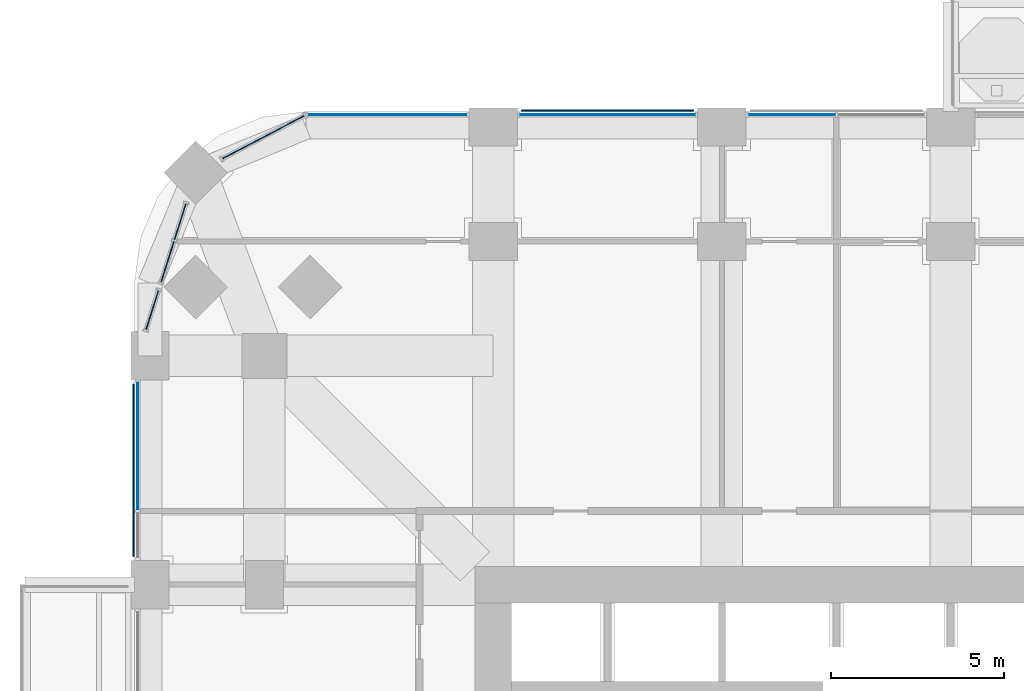
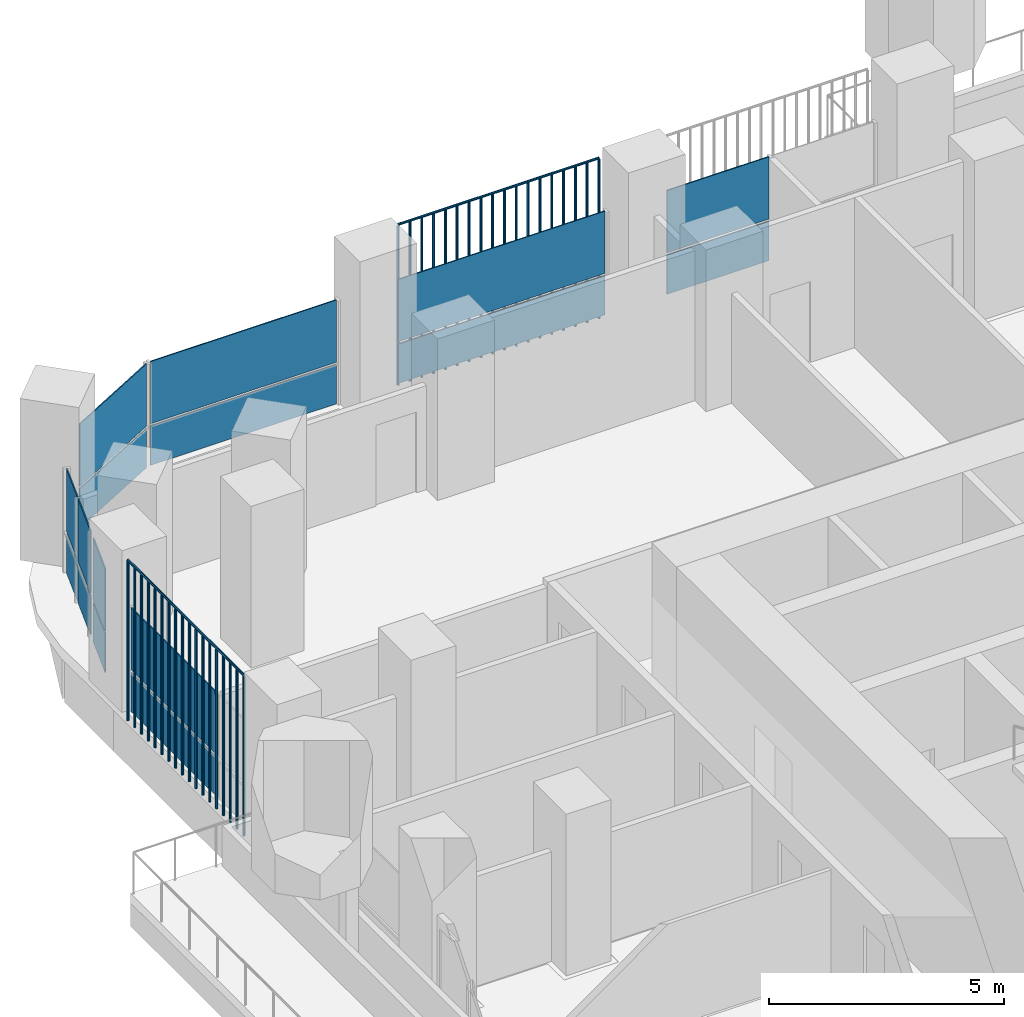
# One storey, part 12 of 22: 18 plates, 7 elements without a shape of their own.
"""IFC4 building model written with IfcOpenShell, lengths in metres."""

import ifcopenshell
import ifcopenshell.guid

model = None  # the IFC model being written
_history = None  # IfcOwnerHistory: only IFC2X3 demands one
_inside = {}  # id of a spatial element -> (the spatial element, [elements in it])
_under = {}  # id of a project, library or spatial element -> (it, [spatial elements below it])
_declared = {}  # id of a project -> (the project, [libraries it declares])
_typed = {}  # id of a type object -> (the type object, [elements of that type])
_made_of = {}  # id of a material, layer set ... -> (it, [elements and type objects made of it])


def new_model(schema):
    """Start an empty IFC model of exactly this schema.

    Asked for "IFC4X3", IfcOpenShell would pick the latest addendum, in which some entities
    have other attributes; the version numbers below select the first issue.
    IFC2X3 requires an IfcOwnerHistory on every rooted entity: one is made here for all.
    """
    global model, _history
    if schema == "IFC4X3":
        model = ifcopenshell.file(schema_version=(4, 3, 0, 0))
    else:
        model = ifcopenshell.file(schema=schema)
    _inside.clear()
    _under.clear()
    _declared.clear()
    _typed.clear()
    _made_of.clear()
    _history = None
    if model.schema == "IFC2X3":
        org = make("IfcOrganization", Name="unknown")
        user = make(
            "IfcPersonAndOrganization",
            ThePerson=make("IfcPerson", FamilyName="unknown"),
            TheOrganization=org,
        )
        app = make(
            "IfcApplication",
            ApplicationDeveloper=org,
            Version="unknown",
            ApplicationFullName="unknown",
            ApplicationIdentifier="unknown",
        )
        _history = make(
            "IfcOwnerHistory",
            OwningUser=user,
            OwningApplication=app,
            ChangeAction="ADDED",
            CreationDate=0,
        )
    return model


def make(cls, **values):
    """One entity of the class cls with the attributes given. An attribute that is None is left unset."""
    return model.create_entity(
        cls, **{name: value for name, value in values.items() if value is not None}
    )


def rooted(cls, **values):
    """An entity with a GlobalId (a new one), such as an element, a storey or a relation."""
    return make(cls, GlobalId=ifcopenshell.guid.new(), OwnerHistory=_history, **values)


def si_unit(unit_type, name, prefix=None):
    """IfcSIUnit, for example si_unit("LENGTHUNIT", "METRE", prefix="MILLI")."""
    return make("IfcSIUnit", UnitType=unit_type, Prefix=prefix, Name=name)


def assignment(units):
    """IfcUnitAssignment: the units of a project."""
    return None if units is None else make("IfcUnitAssignment", Units=units)


def point(xyz):
    """IfcCartesianPoint."""
    return None if xyz is None else make("IfcCartesianPoint", Coordinates=xyz)


def direction(xyz):
    """IfcDirection."""
    return None if xyz is None else make("IfcDirection", DirectionRatios=xyz)


def frame(location, z_axis=None, x_axis=None):
    """IfcAxis2Placement3D, a coordinate frame: its origin and axes. An axis left out is left unset."""
    return make(
        "IfcAxis2Placement3D",
        Location=point(location),
        Axis=direction(z_axis),
        RefDirection=direction(x_axis),
    )


def frame_2d(location, x_axis=None):
    """IfcAxis2Placement2D, a coordinate frame in the plane: its origin and x axis."""
    return make(
        "IfcAxis2Placement2D", Location=point(location), RefDirection=direction(x_axis)
    )


def origin():
    """The frame at (0, 0, 0) with its axes left unset."""
    return frame((0.0, 0.0, 0.0))


def origin_2d():
    """The frame at (0, 0) in the plane with its x axis left unset."""
    return frame_2d((0.0, 0.0))


def place(relative_to, where):
    """IfcLocalPlacement: puts the frame where relative to a parent placement (None: the world)."""
    return make(
        "IfcLocalPlacement", PlacementRelTo=relative_to, RelativePlacement=where
    )


def context(
    kind, dimensions, precision=None, world=None, true_north=None, identifier=None
):
    """IfcGeometricRepresentationContext, for example the 3D "Model" context."""
    return make(
        "IfcGeometricRepresentationContext",
        ContextIdentifier=identifier,
        ContextType=kind,
        CoordinateSpaceDimension=dimensions,
        Precision=precision,
        WorldCoordinateSystem=world,
        TrueNorth=true_north,
    )


def subcontext(parent, identifier, kind, view, scale=None):
    """IfcGeometricRepresentationSubContext, for example "Body" below "Model"."""
    return make(
        "IfcGeometricRepresentationSubContext",
        ContextIdentifier=identifier,
        ContextType=kind,
        ParentContext=parent,
        TargetScale=scale,
        TargetView=view,
    )


def project(units=None, contexts=None):
    """IfcProject with its units and contexts."""
    return rooted(
        "IfcProject",
        Name="project",
        RepresentationContexts=contexts,
        UnitsInContext=assignment(units),
    )


def spatial(cls, under=None, at=None, **own):
    """A site, building, storey or space (cls), placed at a placement, below another one or the project."""
    s = rooted(cls, ObjectPlacement=at, **own)
    if under is not None:
        _under.setdefault(under.id(), (under, []))[1].append(s)
    return s


def polyline(points):
    """IfcPolyline through the points."""
    return make("IfcPolyline", Points=[point(p) for p in points])


def profile(cls, at=None, kind="AREA", **sizes):
    """A parametric profile (cls). Its sizes go by their IFC names, for example OverallWidth=200.0."""
    return make(cls, ProfileType=kind, Position=at, **sizes)


def rectangle(**sizes):
    """IfcRectangleProfileDef."""
    return profile("IfcRectangleProfileDef", **sizes)


def outline(outer, holes=None, kind="AREA"):
    """IfcArbitraryClosedProfileDef: a profile drawn as a closed curve; with holes, ...WithVoids."""
    if holes is None:
        return make("IfcArbitraryClosedProfileDef", ProfileType=kind, OuterCurve=outer)
    return make(
        "IfcArbitraryProfileDefWithVoids",
        ProfileType=kind,
        OuterCurve=outer,
        InnerCurves=holes,
    )


def extrude(swept, where, along, depth):
    """IfcExtrudedAreaSolid: the profile swept, set in the frame where, extruded along a direction by depth."""
    return make(
        "IfcExtrudedAreaSolid",
        SweptArea=swept,
        Position=where,
        ExtrudedDirection=direction(along),
        Depth=depth,
    )


def shape(context_of_items, identifier, shape_type, items):
    """IfcShapeRepresentation: the items that make up one representation, for example the "Body"."""
    return make(
        "IfcShapeRepresentation",
        ContextOfItems=context_of_items,
        RepresentationIdentifier=identifier,
        RepresentationType=shape_type,
        Items=items,
    )


def material(Name=None, Category=None):
    """IfcMaterial."""
    return make("IfcMaterial", Name=Name, Category=Category)


def layer(
    of_material, thickness, ventilated=None, Name=None, Category=None, Priority=None
):
    """IfcMaterialLayer: one layer of a wall or slab, of a material (None: an air gap)."""
    return make(
        "IfcMaterialLayer",
        Material=of_material,
        LayerThickness=thickness,
        IsVentilated=ventilated,
        Name=Name,
        Category=Category,
        Priority=Priority,
    )


def layer_set(layers, Name=None):
    """IfcMaterialLayerSet."""
    return make("IfcMaterialLayerSet", MaterialLayers=layers, LayerSetName=Name)


def made_of(thing, what):
    """Note that an element or type object is made of a material, layer set ...; save() writes the relation."""
    if what is not None:
        _made_of.setdefault(what.id(), (what, []))[1].append(thing)
    return thing


def type_object(cls, material=None, **own):
    """A type object (cls), such as IfcWallType, which elements share."""
    return made_of(rooted(cls, **own), material)


def element(
    cls,
    number,
    at=None,
    inside=None,
    cuts=None,
    type_object=None,
    material=None,
    context=None,
    identifier="Body",
    shape_type=None,
    held_by="IfcProductDefinitionShape",
    body=None,
    shapes=None,
    **own,
):
    """One element of the class cls, such as IfcWall. Its Tag is "e" and its number.

    at: its placement. inside: the storey or other place that contains it. cuts: it is an
    opening in that element (IfcRelVoidsElement). A single representation is given by context,
    identifier, shape_type and body (its items); several are given by shapes. held_by: the class
    of the entity that holds the representations. save() writes the other relations.
    """
    e = rooted(cls, Tag="e%d" % number, ObjectPlacement=at, **own)
    if body is not None:
        shapes = [shape(context, identifier, shape_type, body)]
    if shapes is not None:
        e.Representation = make(held_by, Representations=shapes)
    if inside is not None:
        _inside.setdefault(inside.id(), (inside, []))[1].append(e)
    if cuts is not None:
        rooted(
            "IfcRelVoidsElement", RelatingBuildingElement=cuts, RelatedOpeningElement=e
        )
    if type_object is not None:
        _typed.setdefault(type_object.id(), (type_object, []))[1].append(e)
    return made_of(e, material)


def aggregate(whole, parts):
    """IfcRelAggregates: a whole, such as a stair, and the parts it consists of."""
    return rooted("IfcRelAggregates", RelatingObject=whole, RelatedObjects=parts)


def save(model, path):
    """Write the relations noted so far, then the file.

    IfcRelAggregates (storeys below a building ...), IfcRelContainedInSpatialStructure (elements
    in a storey), IfcRelDefinesByType, IfcRelAssociatesMaterial and IfcRelDeclares: one each for
    every whole, place, type object, material and project.
    """
    for whole, parts in _under.values():
        aggregate(whole, parts)
    for where, things in _inside.values():
        rooted(
            "IfcRelContainedInSpatialStructure",
            RelatedElements=things,
            RelatingStructure=where,
        )
    for kind, things in _typed.values():
        rooted("IfcRelDefinesByType", RelatedObjects=things, RelatingType=kind)
    for what, things in _made_of.values():
        rooted("IfcRelAssociatesMaterial", RelatedObjects=things, RelatingMaterial=what)
    for by, libraries in _declared.values():
        rooted("IfcRelDeclares", RelatingContext=by, RelatedDefinitions=libraries)
    model.write(path)


model = new_model("IFC4")

# Units and contexts
model_context = context("Model", 3, precision=1e-05, world=origin(), true_north=direction((0.0, 1.0)))
body_context = subcontext(model_context, "Body", "Model", "MODEL_VIEW")
ifc_project = project(units=[si_unit("LENGTHUNIT", "METRE"), si_unit("AREAUNIT", "SQUARE_METRE"), si_unit("VOLUMEUNIT", "CUBIC_METRE"), si_unit("PLANEANGLEUNIT", "RADIAN"), si_unit("MASSUNIT", "GRAM", prefix="KILO")], contexts=[model_context])

# Site, building, storey
site_placement = place(None, origin())
site = spatial("IfcSite", under=ifc_project, at=site_placement, CompositionType="ELEMENT")
building_placement = place(site_placement, origin())
building = spatial("IfcBuilding", under=site, at=building_placement, Name="Cobogo Forest Laboratory Tower", CompositionType="ELEMENT")
storey_placement = place(building_placement, frame((0.0, 0.0, 111.60009765625)))
storey = spatial("IfcBuildingStorey", under=building, at=storey_placement, Name="L25", CompositionType="ELEMENT", Elevation=111.60009765625)

# Curtain wall, plates
ifc_material_1 = material(Name="Aluminium curtain wall", Category="aluminium")
curtain_wall_type = type_object("IfcCurtainWallType", Name="CW-1 unitised curtain wall, clear glazing, laboratory floors zones A and B", PredefinedType="USERDEFINED", material=ifc_material_1)
curtain_wall_1_placement = place(storey_placement, origin())
curtain_wall_1 = element("IfcCurtainWall", 1, at=curtain_wall_1_placement, inside=storey, type_object=curtain_wall_type, Name="Curtain wall 21 L25", ObjectType="UNITISED CURTAIN WALL", PredefinedType="USERDEFINED")
ifc_material_2 = material(Name="Clear insulated glass", Category="glass")
ifc_layer = layer(ifc_material_2, 0.028076171875)
ifc_layer_set = layer_set([ifc_layer], Name="GP-1 clear insulated glass unit 28")
plate_type_1 = type_object("IfcPlateType", Name="GP-1 clear insulated glass unit 28", PredefinedType="CURTAIN_PANEL", material=ifc_layer_set)
plate_1_placement = place(storey_placement, frame((21.81494140625, 46.550048828125, 0.0), z_axis=(0.0, 0.0, 1.0), x_axis=(-1.0, 0.0, 0.0)))
plate_1 = element("IfcPlate", 2, at=plate_1_placement, type_object=plate_type_1, Name="CW-1 panel 2.1", PredefinedType="CURTAIN_PANEL", context=body_context, shape_type="SweptSolid", body=[
    extrude(rectangle(XDim=2.510009765625, YDim=0.028076171875, at=origin_2d()), origin(), (0.0, 0.0, 1.0), 1.02001953125),
])
plate_2_placement = place(storey_placement, frame((21.81494140625, 46.550048828125, 1.079833984375), z_axis=(0.0, 0.0, 1.0), x_axis=(-1.0, 0.0, 0.0)))
plate_2 = element("IfcPlate", 3, at=plate_2_placement, type_object=plate_type_1, Name="CW-1 panel 2.2", PredefinedType="CURTAIN_PANEL", context=body_context, shape_type="SweptSolid", body=[
    extrude(rectangle(XDim=2.510009765625, YDim=0.028076171875, at=origin_2d()), origin(), (0.0, 0.0, 1.0), 1.6201171875),
])
aggregate(curtain_wall_1, [plate_1, plate_2])

curtain_wall_2_placement = place(storey_placement, origin())
curtain_wall_2 = element("IfcCurtainWall", 4, at=curtain_wall_2_placement, inside=storey, type_object=curtain_wall_type, Name="Curtain wall 22 L25", ObjectType="UNITISED CURTAIN WALL", PredefinedType="USERDEFINED")
plate_3_placement = place(storey_placement, frame((16.5, 46.550048828125, 0.0), z_axis=(0.0, 0.0, 1.0), x_axis=(-1.0, 0.0, 0.0)))
plate_3 = element("IfcPlate", 5, at=plate_3_placement, type_object=plate_type_1, Name="CW-1 panel 1.1", PredefinedType="CURTAIN_PANEL", context=body_context, shape_type="SweptSolid", body=[
    extrude(rectangle(XDim=5.080078125, YDim=0.028076171875, at=origin_2d()), origin(), (0.0, 0.0, 1.0), 1.02001953125),
])
plate_4_placement = place(storey_placement, frame((16.5, 46.550048828125, 1.079833984375), z_axis=(0.0, 0.0, 1.0), x_axis=(-1.0, 0.0, 0.0)))
plate_4 = element("IfcPlate", 6, at=plate_4_placement, type_object=plate_type_1, Name="CW-1 panel 1.2", PredefinedType="CURTAIN_PANEL", context=body_context, shape_type="SweptSolid", body=[
    extrude(rectangle(XDim=5.080078125, YDim=0.028076171875, at=origin_2d()), origin(), (0.0, 0.0, 1.0), 1.6201171875),
])
aggregate(curtain_wall_2, [plate_3, plate_4])

curtain_wall_3_placement = place(storey_placement, origin())
curtain_wall_3 = element("IfcCurtainWall", 7, at=curtain_wall_3_placement, inside=storey, type_object=curtain_wall_type, Name="Curtain wall 23 L25", ObjectType="UNITISED CURTAIN WALL", PredefinedType="USERDEFINED")
plate_5_placement = place(storey_placement, frame((10.14990234375, 46.550048828125, 0.0), z_axis=(0.0, 0.0, 1.0), x_axis=(-1.0, 0.0, 0.0)))
plate_5 = element("IfcPlate", 8, at=plate_5_placement, type_object=plate_type_1, Name="CW-1 panel 1.1", PredefinedType="CURTAIN_PANEL", context=body_context, shape_type="SweptSolid", body=[
    extrude(rectangle(XDim=4.580078125, YDim=0.028076171875, at=origin_2d()), origin(), (0.0, 0.0, 1.0), 1.02001953125),
])
plate_6_placement = place(storey_placement, frame((10.14990234375, 46.550048828125, 1.079833984375), z_axis=(0.0, 0.0, 1.0), x_axis=(-1.0, 0.0, 0.0)))
plate_6 = element("IfcPlate", 9, at=plate_6_placement, type_object=plate_type_1, Name="CW-1 panel 1.2", PredefinedType="CURTAIN_PANEL", context=body_context, shape_type="SweptSolid", body=[
    extrude(rectangle(XDim=4.580078125, YDim=0.028076171875, at=origin_2d()), origin(), (0.0, 0.0, 1.0), 1.6201171875),
])
aggregate(curtain_wall_3, [plate_5, plate_6])

curtain_wall_4_placement = place(storey_placement, origin())
curtain_wall_4 = element("IfcCurtainWall", 10, at=curtain_wall_4_placement, inside=storey, type_object=curtain_wall_type, Name="Curtain wall 24 L25", ObjectType="UNITISED CURTAIN WALL", PredefinedType="USERDEFINED")
plate_7_placement = place(storey_placement, frame((6.57080078125, 45.90576171875, 0.0), z_axis=(0.0, 0.0, 1.0), x_axis=(-0.885686547075, -0.464283685186, 0.0)))
plate_7 = element("IfcPlate", 11, at=plate_7_placement, type_object=plate_type_1, Name="CW-1 panel 1.1", PredefinedType="CURTAIN_PANEL", context=body_context, shape_type="SweptSolid", body=[
    extrude(rectangle(XDim=2.655517578125, YDim=0.028076171875, at=origin_2d()), origin(), (0.0, 0.0, 1.0), 1.02001953125),
])
plate_8_placement = place(storey_placement, frame((6.57080078125, 45.90576171875, 1.079833984375), z_axis=(0.0, 0.0, 1.0), x_axis=(-0.885686547075, -0.464283685186, 0.0)))
plate_8 = element("IfcPlate", 12, at=plate_8_placement, type_object=plate_type_1, Name="CW-1 panel 1.2", PredefinedType="CURTAIN_PANEL", context=body_context, shape_type="SweptSolid", body=[
    extrude(rectangle(XDim=2.655517578125, YDim=0.028076171875, at=origin_2d()), origin(), (0.0, 0.0, 1.0), 1.6201171875),
])
aggregate(curtain_wall_4, [plate_7, plate_8])

curtain_wall_5_placement = place(storey_placement, origin())
curtain_wall_5 = element("IfcCurtainWall", 13, at=curtain_wall_5_placement, inside=storey, type_object=curtain_wall_type, Name="Curtain wall 25 L25", ObjectType="UNITISED CURTAIN WALL", PredefinedType="USERDEFINED")
plate_9_placement = place(storey_placement, frame((4.171875, 43.469482421875, 0.0), z_axis=(0.0, 0.0, 1.0), x_axis=(-0.301135291996, -0.953581425949, 0.0)))
plate_9 = element("IfcPlate", 14, at=plate_9_placement, type_object=plate_type_1, Name="CW-1 panel 1.1", PredefinedType="CURTAIN_PANEL", context=body_context, shape_type="SweptSolid", body=[
    extrude(rectangle(XDim=1.083984375, YDim=0.028076171875, at=origin_2d()), origin(), (0.0, 0.0, 1.0), 1.02001953125),
])
plate_10_placement = place(storey_placement, frame((4.171875, 43.469482421875, 1.079833984375), z_axis=(0.0, 0.0, 1.0), x_axis=(-0.301135291996, -0.953581425949, 0.0)))
plate_10 = element("IfcPlate", 15, at=plate_10_placement, type_object=plate_type_1, Name="CW-1 panel 1.2", PredefinedType="CURTAIN_PANEL", context=body_context, shape_type="SweptSolid", body=[
    extrude(rectangle(XDim=1.083984375, YDim=0.028076171875, at=origin_2d()), origin(), (0.0, 0.0, 1.0), 1.6201171875),
])
plate_11_placement = place(storey_placement, frame((3.806396484375, 42.31201171875, 0.0), z_axis=(0.0, 0.0, 1.0), x_axis=(-0.301135291996, -0.953581425949, 0.0)))
plate_11 = element("IfcPlate", 16, at=plate_11_placement, type_object=plate_type_1, Name="CW-1 panel 2.1", PredefinedType="CURTAIN_PANEL", context=body_context, shape_type="SweptSolid", body=[
    extrude(rectangle(XDim=1.223876953125, YDim=0.028076171875, at=origin_2d()), origin(), (0.0, 0.0, 1.0), 1.02001953125),
])
plate_12_placement = place(storey_placement, frame((3.806396484375, 42.31201171875, 1.079833984375), z_axis=(0.0, 0.0, 1.0), x_axis=(-0.301135291996, -0.953581425949, 0.0)))
plate_12 = element("IfcPlate", 17, at=plate_12_placement, type_object=plate_type_1, Name="CW-1 panel 2.2", PredefinedType="CURTAIN_PANEL", context=body_context, shape_type="SweptSolid", body=[
    extrude(rectangle(XDim=1.223876953125, YDim=0.028076171875, at=origin_2d()), origin(), (0.0, 0.0, 1.0), 1.6201171875),
])
aggregate(curtain_wall_5, [plate_9, plate_10, plate_11, plate_12])

curtain_wall_6_placement = place(storey_placement, origin())
curtain_wall_6 = element("IfcCurtainWall", 18, at=curtain_wall_6_placement, inside=storey, type_object=curtain_wall_type, Name="Curtain wall 26 L25", ObjectType="UNITISED CURTAIN WALL", PredefinedType="USERDEFINED")
plate_13_placement = place(storey_placement, frame((3.3662109375, 40.917724609375, 0.0), z_axis=(0.0, 0.0, 1.0), x_axis=(-0.301135356805, -0.953581405483, 0.0)))
plate_13 = element("IfcPlate", 19, at=plate_13_placement, type_object=plate_type_1, Name="CW-1 panel 1.1", PredefinedType="CURTAIN_PANEL", context=body_context, shape_type="SweptSolid", body=[
    extrude(rectangle(XDim=1.17578125, YDim=0.028076171875, at=origin_2d()), origin(), (0.0, 0.0, 1.0), 1.02001953125),
])
plate_14_placement = place(storey_placement, frame((3.3662109375, 40.917724609375, 1.079833984375), z_axis=(0.0, 0.0, 1.0), x_axis=(-0.301135356805, -0.953581405483, 0.0)))
plate_14 = element("IfcPlate", 20, at=plate_14_placement, type_object=plate_type_1, Name="CW-1 panel 1.2", PredefinedType="CURTAIN_PANEL", context=body_context, shape_type="SweptSolid", body=[
    extrude(rectangle(XDim=1.17578125, YDim=0.028076171875, at=origin_2d()), origin(), (0.0, 0.0, 1.0), 1.6201171875),
])
aggregate(curtain_wall_6, [plate_13, plate_14])

curtain_wall_7_placement = place(storey_placement, origin())
curtain_wall_7 = element("IfcCurtainWall", 21, at=curtain_wall_7_placement, inside=storey, type_object=curtain_wall_type, Name="Curtain wall 27 L25", ObjectType="UNITISED CURTAIN WALL", PredefinedType="USERDEFINED")
plate_15_placement = place(storey_placement, frame((2.949951171875, 36.99755859375, 0.0), z_axis=(0.0, 0.0, 1.0), x_axis=(0.0, -1.0, 0.0)))
plate_15 = element("IfcPlate", 22, at=plate_15_placement, type_object=plate_type_1, Name="CW-1 panel 1.1", PredefinedType="CURTAIN_PANEL", context=body_context, shape_type="SweptSolid", body=[
    extrude(rectangle(XDim=3.68505859375, YDim=0.028076171875, at=origin_2d()), origin(), (0.0, 0.0, 1.0), 1.02001953125),
])
plate_16_placement = place(storey_placement, frame((2.949951171875, 36.99755859375, 1.079833984375), z_axis=(0.0, 0.0, 1.0), x_axis=(0.0, -1.0, 0.0)))
plate_16 = element("IfcPlate", 23, at=plate_16_placement, type_object=plate_type_1, Name="CW-1 panel 1.2", PredefinedType="CURTAIN_PANEL", context=body_context, shape_type="SweptSolid", body=[
    extrude(rectangle(XDim=3.68505859375, YDim=0.028076171875, at=origin_2d()), origin(), (0.0, 0.0, 1.0), 1.6201171875),
])
aggregate(curtain_wall_7, [plate_15, plate_16])

# Plates
ifc_material_3 = material(Name="Terracotta", Category="masonry")
plate_type_2 = type_object("IfcPlateType", Name="TB1 terracotta baguette screen", PredefinedType="USERDEFINED", material=ifc_material_3)
plate_17_placement = place(storey_placement, frame((14.03125, 46.677978515625, -0.150146484375)))
element("IfcPlate", 24, at=plate_17_placement, inside=storey, type_object=plate_type_2, Name="Baguette screen N1 L25", ObjectType="BAGUETTE SCREEN", PredefinedType="USERDEFINED", context=body_context, shape_type="SweptSolid", body=[
    extrude(outline(polyline([(0.02880859375, 0.011962890625), (0.011962890625, 0.02880859375), (-0.011962890625, 0.02880859375), (-0.02880859375, 0.011962890625), (-0.02880859375, -0.011962890625), (-0.011962890625, -0.02880859375), (0.011962890625, -0.02880859375), (0.02880859375, -0.011962890625), (0.02880859375, 0.011962890625)])), frame((0.0, 0.0, 4.168701171875), z_axis=(1.0, 0.0, 0.0), x_axis=(0.0, 1.0, 0.0)), (0.0, 0.0, 1.0), 4.9375),
    extrude(outline(polyline([(0.02880859375, 0.011962890625), (0.011962890625, 0.02880859375), (-0.011962890625, 0.02880859375), (-0.02880859375, 0.011962890625), (-0.02880859375, -0.011962890625), (-0.011962890625, -0.02880859375), (0.011962890625, -0.02880859375), (0.02880859375, -0.011962890625), (0.02880859375, 0.011962890625)])), origin(), (0.0, 0.0, 1.0), 4.137451171875),
    extrude(outline(polyline([(0.02880859375, 0.011962890625), (0.011962890625, 0.02880859375), (-0.011962890625, 0.02880859375), (-0.02880859375, 0.011962890625), (-0.02880859375, -0.011962890625), (-0.011962890625, -0.02880859375), (0.011962890625, -0.02880859375), (0.02880859375, -0.011962890625), (0.02880859375, 0.011962890625)])), frame((0.29052734375, 0.0, 0.0)), (0.0, 0.0, 1.0), 4.137451171875),
    extrude(outline(polyline([(0.02880859375, 0.011962890625), (0.011962890625, 0.02880859375), (-0.011962890625, 0.02880859375), (-0.02880859375, 0.011962890625), (-0.02880859375, -0.011962890625), (-0.011962890625, -0.02880859375), (0.011962890625, -0.02880859375), (0.02880859375, -0.011962890625), (0.02880859375, 0.011962890625)])), frame((0.580810546875, 0.0, 0.0)), (0.0, 0.0, 1.0), 4.137451171875),
    extrude(outline(polyline([(0.02880859375, 0.011962890625), (0.011962890625, 0.02880859375), (-0.011962890625, 0.02880859375), (-0.02880859375, 0.011962890625), (-0.02880859375, -0.011962890625), (-0.011962890625, -0.02880859375), (0.011962890625, -0.02880859375), (0.02880859375, -0.011962890625), (0.02880859375, 0.011962890625)])), frame((0.871337890625, 0.0, 0.0)), (0.0, 0.0, 1.0), 4.137451171875),
    extrude(outline(polyline([(0.02880859375, 0.011962890625), (0.011962890625, 0.02880859375), (-0.011962890625, 0.02880859375), (-0.02880859375, 0.011962890625), (-0.02880859375, -0.011962890625), (-0.011962890625, -0.02880859375), (0.011962890625, -0.02880859375), (0.02880859375, -0.011962890625), (0.02880859375, 0.011962890625)])), frame((1.161865234375, 0.0, 0.0)), (0.0, 0.0, 1.0), 4.137451171875),
    extrude(outline(polyline([(0.02880859375, 0.011962890625), (0.011962890625, 0.02880859375), (-0.011962890625, 0.02880859375), (-0.02880859375, 0.011962890625), (-0.02880859375, -0.011962890625), (-0.011962890625, -0.02880859375), (0.011962890625, -0.02880859375), (0.02880859375, -0.011962890625), (0.02880859375, 0.011962890625)])), frame((1.4521484375, 0.0, 0.0)), (0.0, 0.0, 1.0), 4.137451171875),
    extrude(outline(polyline([(0.02880859375, 0.011962890625), (0.011962890625, 0.02880859375), (-0.011962890625, 0.02880859375), (-0.02880859375, 0.011962890625), (-0.02880859375, -0.011962890625), (-0.011962890625, -0.02880859375), (0.011962890625, -0.02880859375), (0.02880859375, -0.011962890625), (0.02880859375, 0.011962890625)])), frame((1.74267578125, 0.0, 0.0)), (0.0, 0.0, 1.0), 4.137451171875),
    extrude(outline(polyline([(0.02880859375, 0.011962890625), (0.011962890625, 0.02880859375), (-0.011962890625, 0.02880859375), (-0.02880859375, 0.011962890625), (-0.02880859375, -0.011962890625), (-0.011962890625, -0.02880859375), (0.011962890625, -0.02880859375), (0.02880859375, -0.011962890625), (0.02880859375, 0.011962890625)])), frame((2.033203125, 0.0, 0.0)), (0.0, 0.0, 1.0), 4.137451171875),
    extrude(outline(polyline([(0.02880859375, 0.011962890625), (0.011962890625, 0.02880859375), (-0.011962890625, 0.02880859375), (-0.02880859375, 0.011962890625), (-0.02880859375, -0.011962890625), (-0.011962890625, -0.02880859375), (0.011962890625, -0.02880859375), (0.02880859375, -0.011962890625), (0.02880859375, 0.011962890625)])), frame((2.323486328125, 0.0, 0.0)), (0.0, 0.0, 1.0), 4.137451171875),
    extrude(outline(polyline([(0.02880859375, 0.011962890625), (0.011962890625, 0.02880859375), (-0.011962890625, 0.02880859375), (-0.02880859375, 0.011962890625), (-0.02880859375, -0.011962890625), (-0.011962890625, -0.02880859375), (0.011962890625, -0.02880859375), (0.02880859375, -0.011962890625), (0.02880859375, 0.011962890625)])), frame((2.614013671875, 0.0, 0.0)), (0.0, 0.0, 1.0), 4.137451171875),
    extrude(outline(polyline([(0.02880859375, 0.011962890625), (0.011962890625, 0.02880859375), (-0.011962890625, 0.02880859375), (-0.02880859375, 0.011962890625), (-0.02880859375, -0.011962890625), (-0.011962890625, -0.02880859375), (0.011962890625, -0.02880859375), (0.02880859375, -0.011962890625), (0.02880859375, 0.011962890625)])), frame((2.904296875, 0.0, 0.0)), (0.0, 0.0, 1.0), 4.137451171875),
    extrude(outline(polyline([(0.02880859375, 0.011962890625), (0.011962890625, 0.02880859375), (-0.011962890625, 0.02880859375), (-0.02880859375, 0.011962890625), (-0.02880859375, -0.011962890625), (-0.011962890625, -0.02880859375), (0.011962890625, -0.02880859375), (0.02880859375, -0.011962890625), (0.02880859375, 0.011962890625)])), frame((3.19482421875, 0.0, 0.0)), (0.0, 0.0, 1.0), 4.137451171875),
    extrude(outline(polyline([(0.02880859375, 0.011962890625), (0.011962890625, 0.02880859375), (-0.011962890625, 0.02880859375), (-0.02880859375, 0.011962890625), (-0.02880859375, -0.011962890625), (-0.011962890625, -0.02880859375), (0.011962890625, -0.02880859375), (0.02880859375, -0.011962890625), (0.02880859375, 0.011962890625)])), frame((3.4853515625, 0.0, 0.0)), (0.0, 0.0, 1.0), 4.137451171875),
    extrude(outline(polyline([(0.02880859375, 0.011962890625), (0.011962890625, 0.02880859375), (-0.011962890625, 0.02880859375), (-0.02880859375, 0.011962890625), (-0.02880859375, -0.011962890625), (-0.011962890625, -0.02880859375), (0.011962890625, -0.02880859375), (0.02880859375, -0.011962890625), (0.02880859375, 0.011962890625)])), frame((3.775634765625, 0.0, 0.0)), (0.0, 0.0, 1.0), 4.137451171875),
    extrude(outline(polyline([(0.02880859375, 0.011962890625), (0.011962890625, 0.02880859375), (-0.011962890625, 0.02880859375), (-0.02880859375, 0.011962890625), (-0.02880859375, -0.011962890625), (-0.011962890625, -0.02880859375), (0.011962890625, -0.02880859375), (0.02880859375, -0.011962890625), (0.02880859375, 0.011962890625)])), frame((4.066162109375, 0.0, 0.0)), (0.0, 0.0, 1.0), 4.137451171875),
    extrude(outline(polyline([(0.02880859375, 0.011962890625), (0.011962890625, 0.02880859375), (-0.011962890625, 0.02880859375), (-0.02880859375, 0.011962890625), (-0.02880859375, -0.011962890625), (-0.011962890625, -0.02880859375), (0.011962890625, -0.02880859375), (0.02880859375, -0.011962890625), (0.02880859375, 0.011962890625)])), frame((4.356689453125, 0.0, 0.0)), (0.0, 0.0, 1.0), 4.137451171875),
    extrude(outline(polyline([(0.02880859375, 0.011962890625), (0.011962890625, 0.02880859375), (-0.011962890625, 0.02880859375), (-0.02880859375, 0.011962890625), (-0.02880859375, -0.011962890625), (-0.011962890625, -0.02880859375), (0.011962890625, -0.02880859375), (0.02880859375, -0.011962890625), (0.02880859375, 0.011962890625)])), frame((4.64697265625, 0.0, 0.0)), (0.0, 0.0, 1.0), 4.137451171875),
    extrude(outline(polyline([(0.02880859375, 0.011962890625), (0.011962890625, 0.02880859375), (-0.011962890625, 0.02880859375), (-0.02880859375, 0.011962890625), (-0.02880859375, -0.011962890625), (-0.011962890625, -0.02880859375), (0.011962890625, -0.02880859375), (0.02880859375, -0.011962890625), (0.02880859375, 0.011962890625)])), frame((4.9375, 0.0, 0.0)), (0.0, 0.0, 1.0), 4.137451171875),
])
plate_18_placement = place(storey_placement, frame((2.822021484375, 33.831298828125, -0.150146484375)))
element("IfcPlate", 25, at=plate_18_placement, inside=storey, type_object=plate_type_2, Name="Baguette screen W5 L25", ObjectType="BAGUETTE SCREEN", PredefinedType="USERDEFINED", context=body_context, shape_type="SweptSolid", body=[
    extrude(outline(polyline([(0.02880859375, 0.011962890625), (0.011962890625, 0.02880859375), (-0.011962890625, 0.02880859375), (-0.02880859375, 0.011962890625), (-0.02880859375, -0.011962890625), (-0.011962890625, -0.02880859375), (0.011962890625, -0.02880859375), (0.02880859375, -0.011962890625), (0.02880859375, 0.011962890625)])), frame((0.0, 0.0, 4.168701171875), z_axis=(0.0, 1.0, 0.0), x_axis=(-1.0, 0.0, 0.0)), (0.0, 0.0, 1.0), 4.9375),
    extrude(outline(polyline([(0.02880859375, 0.011962890625), (0.011962890625, 0.02880859375), (-0.011962890625, 0.02880859375), (-0.02880859375, 0.011962890625), (-0.02880859375, -0.011962890625), (-0.011962890625, -0.02880859375), (0.011962890625, -0.02880859375), (0.02880859375, -0.011962890625), (0.02880859375, 0.011962890625)])), origin(), (0.0, 0.0, 1.0), 4.137451171875),
    extrude(outline(polyline([(0.02880859375, 0.011962890625), (0.011962890625, 0.02880859375), (-0.011962890625, 0.02880859375), (-0.02880859375, 0.011962890625), (-0.02880859375, -0.011962890625), (-0.011962890625, -0.02880859375), (0.011962890625, -0.02880859375), (0.02880859375, -0.011962890625), (0.02880859375, 0.011962890625)])), frame((0.0, 0.29052734375, 0.0)), (0.0, 0.0, 1.0), 4.137451171875),
    extrude(outline(polyline([(0.02880859375, 0.011962890625), (0.011962890625, 0.02880859375), (-0.011962890625, 0.02880859375), (-0.02880859375, 0.011962890625), (-0.02880859375, -0.011962890625), (-0.011962890625, -0.02880859375), (0.011962890625, -0.02880859375), (0.02880859375, -0.011962890625), (0.02880859375, 0.011962890625)])), frame((0.0, 0.580810546875, 0.0)), (0.0, 0.0, 1.0), 4.137451171875),
    extrude(outline(polyline([(0.02880859375, 0.011962890625), (0.011962890625, 0.02880859375), (-0.011962890625, 0.02880859375), (-0.02880859375, 0.011962890625), (-0.02880859375, -0.011962890625), (-0.011962890625, -0.02880859375), (0.011962890625, -0.02880859375), (0.02880859375, -0.011962890625), (0.02880859375, 0.011962890625)])), frame((0.0, 0.871337890625, 0.0)), (0.0, 0.0, 1.0), 4.137451171875),
    extrude(outline(polyline([(0.02880859375, 0.011962890625), (0.011962890625, 0.02880859375), (-0.011962890625, 0.02880859375), (-0.02880859375, 0.011962890625), (-0.02880859375, -0.011962890625), (-0.011962890625, -0.02880859375), (0.011962890625, -0.02880859375), (0.02880859375, -0.011962890625), (0.02880859375, 0.011962890625)])), frame((0.0, 1.161865234375, 0.0)), (0.0, 0.0, 1.0), 4.137451171875),
    extrude(outline(polyline([(0.02880859375, 0.011962890625), (0.011962890625, 0.02880859375), (-0.011962890625, 0.02880859375), (-0.02880859375, 0.011962890625), (-0.02880859375, -0.011962890625), (-0.011962890625, -0.02880859375), (0.011962890625, -0.02880859375), (0.02880859375, -0.011962890625), (0.02880859375, 0.011962890625)])), frame((0.0, 1.4521484375, 0.0)), (0.0, 0.0, 1.0), 4.137451171875),
    extrude(outline(polyline([(0.02880859375, 0.011962890625), (0.011962890625, 0.02880859375), (-0.011962890625, 0.02880859375), (-0.02880859375, 0.011962890625), (-0.02880859375, -0.011962890625), (-0.011962890625, -0.02880859375), (0.011962890625, -0.02880859375), (0.02880859375, -0.011962890625), (0.02880859375, 0.011962890625)])), frame((0.0, 1.74267578125, 0.0)), (0.0, 0.0, 1.0), 4.137451171875),
    extrude(outline(polyline([(0.02880859375, 0.011962890625), (0.011962890625, 0.02880859375), (-0.011962890625, 0.02880859375), (-0.02880859375, 0.011962890625), (-0.02880859375, -0.011962890625), (-0.011962890625, -0.02880859375), (0.011962890625, -0.02880859375), (0.02880859375, -0.011962890625), (0.02880859375, 0.011962890625)])), frame((0.0, 2.033203125, 0.0)), (0.0, 0.0, 1.0), 4.137451171875),
    extrude(outline(polyline([(0.02880859375, 0.011962890625), (0.011962890625, 0.02880859375), (-0.011962890625, 0.02880859375), (-0.02880859375, 0.011962890625), (-0.02880859375, -0.011962890625), (-0.011962890625, -0.02880859375), (0.011962890625, -0.02880859375), (0.02880859375, -0.011962890625), (0.02880859375, 0.011962890625)])), frame((0.0, 2.323486328125, 0.0)), (0.0, 0.0, 1.0), 4.137451171875),
    extrude(outline(polyline([(0.02880859375, 0.011962890625), (0.011962890625, 0.02880859375), (-0.011962890625, 0.02880859375), (-0.02880859375, 0.011962890625), (-0.02880859375, -0.011962890625), (-0.011962890625, -0.02880859375), (0.011962890625, -0.02880859375), (0.02880859375, -0.011962890625), (0.02880859375, 0.011962890625)])), frame((0.0, 2.614013671875, 0.0)), (0.0, 0.0, 1.0), 4.137451171875),
    extrude(outline(polyline([(0.02880859375, 0.011962890625), (0.011962890625, 0.02880859375), (-0.011962890625, 0.02880859375), (-0.02880859375, 0.011962890625), (-0.02880859375, -0.011962890625), (-0.011962890625, -0.02880859375), (0.011962890625, -0.02880859375), (0.02880859375, -0.011962890625), (0.02880859375, 0.011962890625)])), frame((0.0, 2.904296875, 0.0)), (0.0, 0.0, 1.0), 4.137451171875),
    extrude(outline(polyline([(0.02880859375, 0.011962890625), (0.011962890625, 0.02880859375), (-0.011962890625, 0.02880859375), (-0.02880859375, 0.011962890625), (-0.02880859375, -0.011962890625), (-0.011962890625, -0.02880859375), (0.011962890625, -0.02880859375), (0.02880859375, -0.011962890625), (0.02880859375, 0.011962890625)])), frame((0.0, 3.19482421875, 0.0)), (0.0, 0.0, 1.0), 4.137451171875),
    extrude(outline(polyline([(0.02880859375, 0.011962890625), (0.011962890625, 0.02880859375), (-0.011962890625, 0.02880859375), (-0.02880859375, 0.011962890625), (-0.02880859375, -0.011962890625), (-0.011962890625, -0.02880859375), (0.011962890625, -0.02880859375), (0.02880859375, -0.011962890625), (0.02880859375, 0.011962890625)])), frame((0.0, 3.4853515625, 0.0)), (0.0, 0.0, 1.0), 4.137451171875),
    extrude(outline(polyline([(0.02880859375, 0.011962890625), (0.011962890625, 0.02880859375), (-0.011962890625, 0.02880859375), (-0.02880859375, 0.011962890625), (-0.02880859375, -0.011962890625), (-0.011962890625, -0.02880859375), (0.011962890625, -0.02880859375), (0.02880859375, -0.011962890625), (0.02880859375, 0.011962890625)])), frame((0.0, 3.775634765625, 0.0)), (0.0, 0.0, 1.0), 4.137451171875),
    extrude(outline(polyline([(0.02880859375, 0.011962890625), (0.011962890625, 0.02880859375), (-0.011962890625, 0.02880859375), (-0.02880859375, 0.011962890625), (-0.02880859375, -0.011962890625), (-0.011962890625, -0.02880859375), (0.011962890625, -0.02880859375), (0.02880859375, -0.011962890625), (0.02880859375, 0.011962890625)])), frame((0.0, 4.066162109375, 0.0)), (0.0, 0.0, 1.0), 4.137451171875),
    extrude(outline(polyline([(0.02880859375, 0.011962890625), (0.011962890625, 0.02880859375), (-0.011962890625, 0.02880859375), (-0.02880859375, 0.011962890625), (-0.02880859375, -0.011962890625), (-0.011962890625, -0.02880859375), (0.011962890625, -0.02880859375), (0.02880859375, -0.011962890625), (0.02880859375, 0.011962890625)])), frame((0.0, 4.356689453125, 0.0)), (0.0, 0.0, 1.0), 4.137451171875),
    extrude(outline(polyline([(0.02880859375, 0.011962890625), (0.011962890625, 0.02880859375), (-0.011962890625, 0.02880859375), (-0.02880859375, 0.011962890625), (-0.02880859375, -0.011962890625), (-0.011962890625, -0.02880859375), (0.011962890625, -0.02880859375), (0.02880859375, -0.011962890625), (0.02880859375, 0.011962890625)])), frame((0.0, 4.64697265625, 0.0)), (0.0, 0.0, 1.0), 4.137451171875),
    extrude(outline(polyline([(0.02880859375, 0.011962890625), (0.011962890625, 0.02880859375), (-0.011962890625, 0.02880859375), (-0.02880859375, 0.011962890625), (-0.02880859375, -0.011962890625), (-0.011962890625, -0.02880859375), (0.011962890625, -0.02880859375), (0.02880859375, -0.011962890625), (0.02880859375, 0.011962890625)])), frame((0.0, 4.9375, 0.0)), (0.0, 0.0, 1.0), 4.137451171875),
])

save(model, "model.ifc")
